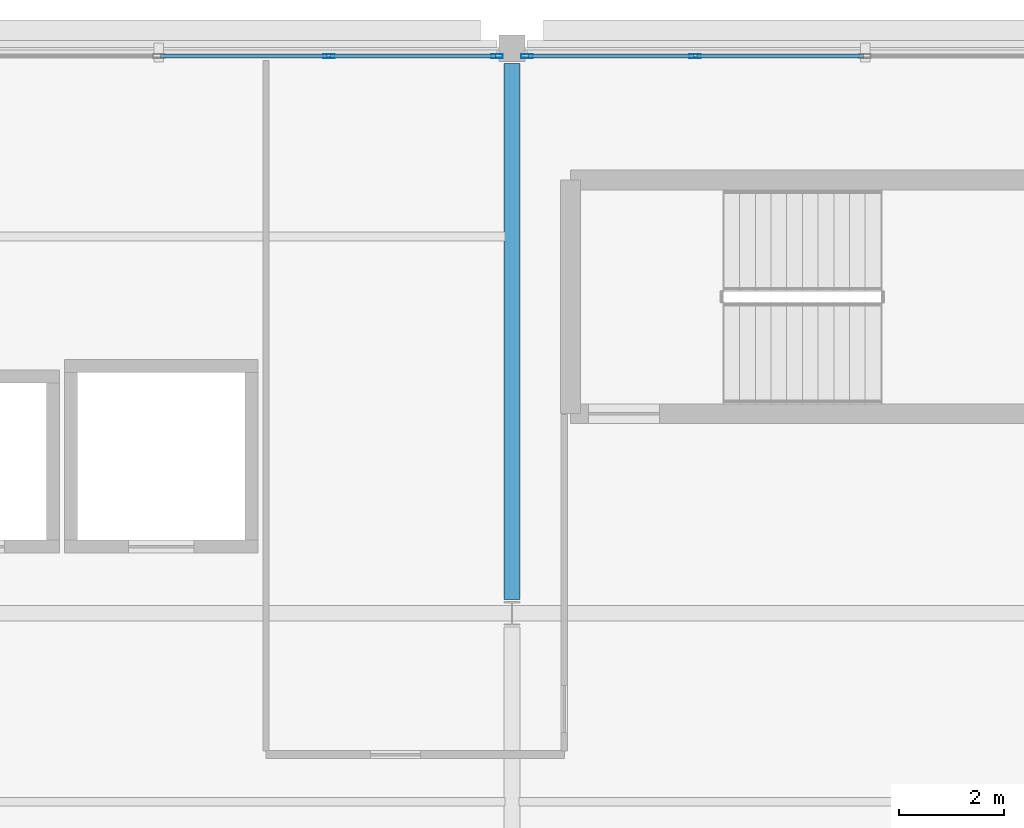
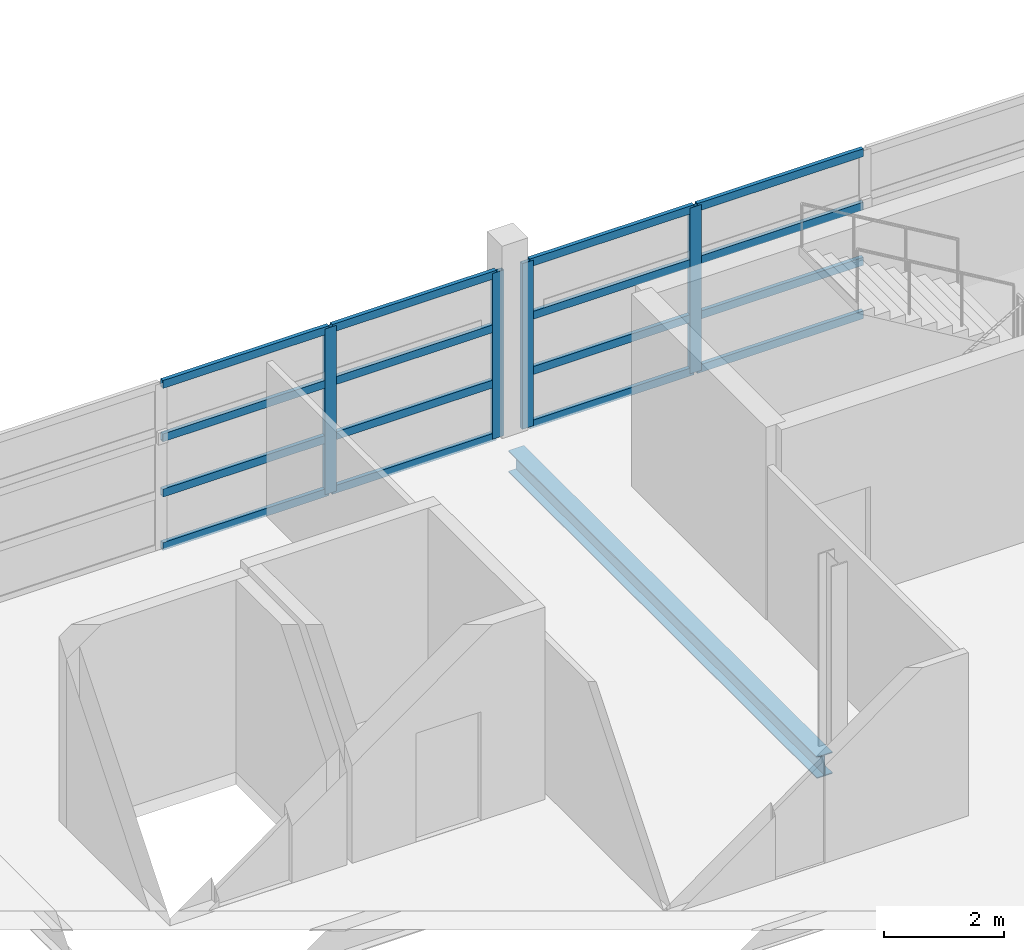
# One storey, part 58 of 110: 20 members, 1 beam, 2 elements without a shape of their own.
"""IFC4 building model written with IfcOpenShell, lengths in metres."""

from ifc_helpers import new_model, si_unit, direction, frame, origin, origin_2d, place, context, subcontext, project, spatial, hollow_rectangle, i_section, extrude, material, layer, layer_set, material_profile, profile_set, type_object, element, aggregate, save


model = new_model("IFC4")

# Units and contexts
model_context = context("Model", 3, precision=1e-05, world=origin(), true_north=direction((0.0, 1.0)))
body_context = subcontext(model_context, "Body", "Model", "MODEL_VIEW")
ifc_project = project(units=[si_unit("LENGTHUNIT", "METRE"), si_unit("AREAUNIT", "SQUARE_METRE"), si_unit("VOLUMEUNIT", "CUBIC_METRE"), si_unit("PLANEANGLEUNIT", "RADIAN"), si_unit("MASSUNIT", "GRAM", prefix="KILO")], contexts=[model_context])

# Site, building, storey
site_placement = place(None, origin())
site = spatial("IfcSite", under=ifc_project, at=site_placement, CompositionType="ELEMENT")
building_placement = place(site_placement, origin())
building = spatial("IfcBuilding", under=site, at=building_placement, Name="Tamarisk Ironworks Central Station", CompositionType="ELEMENT")
storey_placement = place(building_placement, frame((0.0, 0.0, 17.39990234375)))
storey = spatial("IfcBuildingStorey", under=building, at=storey_placement, Name="L03", CompositionType="ELEMENT", Elevation=17.39990234375)

# Beam
ifc_material_1 = material(Name="Structural steel S355J2", Category="steel")
ifc_material_profile_1 = material_profile(ifc_material_1, i_section(OverallWidth=0.300048828125, OverallDepth=0.43994140625, WebThickness=0.011474609375, FlangeThickness=0.02099609375, at=origin_2d()), Name="HEA 450")
ifc_profile_set_1 = profile_set([ifc_material_profile_1], Name="Structural steel S355J2")
beam_type = type_object("IfcBeamType", Name="BM-G06", PredefinedType="BEAM", material=ifc_profile_set_1)
beam_placement = place(storey_placement, frame((166.5, 111.863037109375, -0.469970703125), z_axis=(0.0, 1.0, 0.0), x_axis=(-1.0, 0.0, 0.0)))
element("IfcBeam", 1, at=beam_placement, inside=storey, type_object=beam_type, Name="L03 primary girder Y-0699", PredefinedType="BEAM", context=body_context, shape_type="SweptSolid", body=[
    extrude(i_section(OverallWidth=0.300048828125, OverallDepth=0.43994140625, WebThickness=0.011474609375, FlangeThickness=0.02099609375, at=origin_2d()), origin(), (0.0, 0.0, 1.0), 10.2490234375),
])

# Curtain wall, members
ifc_material_2 = material(Name="Anodized aluminium alloy 6063-T6", Category="aluminium")
ifc_layer = layer(ifc_material_2, 0.179931640625)
ifc_layer_set = layer_set([ifc_layer], Name="Anodized aluminium alloy 6063-T6")
curtain_wall_type = type_object("IfcCurtainWallType", Name="CW-18", PredefinedType="USERDEFINED", material=ifc_layer_set)
curtain_wall_1_placement = place(storey_placement, origin())
curtain_wall_1 = element("IfcCurtainWall", 2, at=curtain_wall_1_placement, inside=storey, type_object=curtain_wall_type, Name="Operations L03 north facade curtain wall 153", ObjectType="GLAZED CURTAIN WALL", PredefinedType="USERDEFINED")
ifc_material_profile_2 = material_profile(ifc_material_2, hollow_rectangle(XDim=0.074951171875, YDim=0.219970703125, WallThickness=0.00390625, at=origin_2d()), Name="ALUM 220x75")
ifc_profile_set_2 = profile_set([ifc_material_profile_2], Name="Anodized aluminium alloy 6063-T6")
member_type_1 = type_object("IfcMemberType", Name="CWM-01", PredefinedType="MULLION", material=ifc_profile_set_2)
member_1_placement = place(storey_placement, frame((163.0009765625, 122.25, 0.0), z_axis=(0.0, 0.0, 1.0), x_axis=(0.0, 1.0, 0.0)))
member_1 = element("IfcMember", 3, at=member_1_placement, type_object=member_type_1, Name="CW18 mullion 4", PredefinedType="MULLION", context=body_context, shape_type="SweptSolid", body=[
    extrude(hollow_rectangle(XDim=0.074951171875, YDim=0.219970703125, WallThickness=0.00390625, at=origin_2d()), origin(), (0.0, 0.0, 1.0), 3.360107421875),
])
member_2_placement = place(storey_placement, frame((166.214599609375, 122.25, 0.0), z_axis=(0.0, 0.0, 1.0), x_axis=(0.0, 1.0, 0.0)))
member_2 = element("IfcMember", 4, at=member_2_placement, type_object=member_type_1, Name="CW18 mullion 5", PredefinedType="MULLION", context=body_context, shape_type="SweptSolid", body=[
    extrude(hollow_rectangle(XDim=0.074951171875, YDim=0.219970703125, WallThickness=0.00390625, at=origin_2d()), origin(), (0.0, 0.0, 1.0), 3.360107421875),
])

curtain_wall_2_placement = place(storey_placement, origin())
curtain_wall_2 = element("IfcCurtainWall", 5, at=curtain_wall_2_placement, inside=storey, type_object=curtain_wall_type, Name="Operations L03 north facade curtain wall 166", ObjectType="GLAZED CURTAIN WALL", PredefinedType="USERDEFINED")
member_3_placement = place(storey_placement, frame((166.785400390625, 122.25, 0.0), z_axis=(0.0, 0.0, 1.0), x_axis=(0.0, 1.0, 0.0)))
member_3 = element("IfcMember", 6, at=member_3_placement, type_object=member_type_1, Name="CW18 mullion 1", PredefinedType="MULLION", context=body_context, shape_type="SweptSolid", body=[
    extrude(hollow_rectangle(XDim=0.074951171875, YDim=0.219970703125, WallThickness=0.00390625, at=origin_2d()), origin(), (0.0, 0.0, 1.0), 3.360107421875),
])
member_4_placement = place(storey_placement, frame((169.9990234375, 122.25, 0.0), z_axis=(0.0, 0.0, 1.0), x_axis=(0.0, 1.0, 0.0)))
member_4 = element("IfcMember", 7, at=member_4_placement, type_object=member_type_1, Name="CW18 mullion 2", PredefinedType="MULLION", context=body_context, shape_type="SweptSolid", body=[
    extrude(hollow_rectangle(XDim=0.074951171875, YDim=0.219970703125, WallThickness=0.00390625, at=origin_2d()), origin(), (0.0, 0.0, 1.0), 3.360107421875),
])

# Member
ifc_material_profile_3 = material_profile(ifc_material_2, hollow_rectangle(XDim=0.074951171875, YDim=0.159912109375, WallThickness=0.00390625, at=origin_2d()), Name="ALUM 160x75")
ifc_profile_set_3 = profile_set([ifc_material_profile_3], Name="Anodized aluminium alloy 6063-T6")
member_type_2 = type_object("IfcMemberType", Name="CWT-01", PredefinedType="USERDEFINED", material=ifc_profile_set_3)
member_5_placement = place(storey_placement, frame((159.783447265625, 122.25, 0.03759765625), z_axis=(1.0, 0.0, 0.0), x_axis=(0.0, 1.0, 0.0)))
member_5 = element("IfcMember", 8, at=member_5_placement, type_object=member_type_2, Name="CW18 transom 3.1", ObjectType="TRANSOM", PredefinedType="USERDEFINED", context=body_context, shape_type="SweptSolid", body=[
    extrude(hollow_rectangle(XDim=0.074951171875, YDim=0.159912109375, WallThickness=0.00390625, at=origin_2d()), origin(), (0.0, 0.0, 1.0), 3.18408203125),
])

member_6_placement = place(storey_placement, frame((159.783447265625, 122.25, 1.1201171875), z_axis=(1.0, 0.0, 0.0), x_axis=(0.0, 1.0, 0.0)))
member_6 = element("IfcMember", 9, at=member_6_placement, type_object=member_type_2, Name="CW18 transom 3.2", ObjectType="TRANSOM", PredefinedType="USERDEFINED", context=body_context, shape_type="SweptSolid", body=[
    extrude(hollow_rectangle(XDim=0.074951171875, YDim=0.159912109375, WallThickness=0.00390625, at=origin_2d()), origin(), (0.0, 0.0, 1.0), 3.18408203125),
])

member_7_placement = place(storey_placement, frame((159.783447265625, 122.25, 2.239990234375), z_axis=(1.0, 0.0, 0.0), x_axis=(0.0, 1.0, 0.0)))
member_7 = element("IfcMember", 10, at=member_7_placement, type_object=member_type_2, Name="CW18 transom 3.3", ObjectType="TRANSOM", PredefinedType="USERDEFINED", context=body_context, shape_type="SweptSolid", body=[
    extrude(hollow_rectangle(XDim=0.074951171875, YDim=0.159912109375, WallThickness=0.00390625, at=origin_2d()), origin(), (0.0, 0.0, 1.0), 3.18408203125),
])

member_8_placement = place(storey_placement, frame((159.783447265625, 122.25, 3.322509765625), z_axis=(1.0, 0.0, 0.0), x_axis=(0.0, 1.0, 0.0)))
member_8 = element("IfcMember", 11, at=member_8_placement, type_object=member_type_2, Name="CW18 transom 3.4", ObjectType="TRANSOM", PredefinedType="USERDEFINED", context=body_context, shape_type="SweptSolid", body=[
    extrude(hollow_rectangle(XDim=0.074951171875, YDim=0.159912109375, WallThickness=0.00390625, at=origin_2d()), origin(), (0.0, 0.0, 1.0), 3.18408203125),
])

member_9_placement = place(storey_placement, frame((163.034423828125, 122.25, 0.03759765625), z_axis=(1.0, 0.0, 0.0), x_axis=(0.0, 1.0, 0.0)))
member_9 = element("IfcMember", 12, at=member_9_placement, type_object=member_type_2, Name="CW18 transom 4.1", ObjectType="TRANSOM", PredefinedType="USERDEFINED", context=body_context, shape_type="SweptSolid", body=[
    extrude(hollow_rectangle(XDim=0.074951171875, YDim=0.159912109375, WallThickness=0.00390625, at=origin_2d()), origin(), (0.0, 0.0, 1.0), 3.146484375),
])

member_10_placement = place(storey_placement, frame((163.034423828125, 122.25, 1.1201171875), z_axis=(1.0, 0.0, 0.0), x_axis=(0.0, 1.0, 0.0)))
member_10 = element("IfcMember", 13, at=member_10_placement, type_object=member_type_2, Name="CW18 transom 4.2", ObjectType="TRANSOM", PredefinedType="USERDEFINED", context=body_context, shape_type="SweptSolid", body=[
    extrude(hollow_rectangle(XDim=0.074951171875, YDim=0.159912109375, WallThickness=0.00390625, at=origin_2d()), origin(), (0.0, 0.0, 1.0), 3.146484375),
])

member_11_placement = place(storey_placement, frame((163.034423828125, 122.25, 2.239990234375), z_axis=(1.0, 0.0, 0.0), x_axis=(0.0, 1.0, 0.0)))
member_11 = element("IfcMember", 14, at=member_11_placement, type_object=member_type_2, Name="CW18 transom 4.3", ObjectType="TRANSOM", PredefinedType="USERDEFINED", context=body_context, shape_type="SweptSolid", body=[
    extrude(hollow_rectangle(XDim=0.074951171875, YDim=0.159912109375, WallThickness=0.00390625, at=origin_2d()), origin(), (0.0, 0.0, 1.0), 3.146484375),
])

member_12_placement = place(storey_placement, frame((163.034423828125, 122.25, 3.322509765625), z_axis=(1.0, 0.0, 0.0), x_axis=(0.0, 1.0, 0.0)))
member_12 = element("IfcMember", 15, at=member_12_placement, type_object=member_type_2, Name="CW18 transom 4.4", ObjectType="TRANSOM", PredefinedType="USERDEFINED", context=body_context, shape_type="SweptSolid", body=[
    extrude(hollow_rectangle(XDim=0.074951171875, YDim=0.159912109375, WallThickness=0.00390625, at=origin_2d()), origin(), (0.0, 0.0, 1.0), 3.146484375),
])

aggregate(curtain_wall_1, [member_1, member_2, member_5, member_6, member_7, member_8, member_9, member_10, member_11, member_12])

member_13_placement = place(storey_placement, frame((166.819091796875, 122.25, 0.03759765625), z_axis=(1.0, 0.0, 0.0), x_axis=(0.0, 1.0, 0.0)))
member_13 = element("IfcMember", 16, at=member_13_placement, type_object=member_type_2, Name="CW18 transom 1.1", ObjectType="TRANSOM", PredefinedType="USERDEFINED", context=body_context, shape_type="SweptSolid", body=[
    extrude(hollow_rectangle(XDim=0.074951171875, YDim=0.159912109375, WallThickness=0.00390625, at=origin_2d()), origin(), (0.0, 0.0, 1.0), 3.146484375),
])

member_14_placement = place(storey_placement, frame((166.819091796875, 122.25, 1.1201171875), z_axis=(1.0, 0.0, 0.0), x_axis=(0.0, 1.0, 0.0)))
member_14 = element("IfcMember", 17, at=member_14_placement, type_object=member_type_2, Name="CW18 transom 1.2", ObjectType="TRANSOM", PredefinedType="USERDEFINED", context=body_context, shape_type="SweptSolid", body=[
    extrude(hollow_rectangle(XDim=0.074951171875, YDim=0.159912109375, WallThickness=0.00390625, at=origin_2d()), origin(), (0.0, 0.0, 1.0), 3.146484375),
])

member_15_placement = place(storey_placement, frame((166.819091796875, 122.25, 2.239990234375), z_axis=(1.0, 0.0, 0.0), x_axis=(0.0, 1.0, 0.0)))
member_15 = element("IfcMember", 18, at=member_15_placement, type_object=member_type_2, Name="CW18 transom 1.3", ObjectType="TRANSOM", PredefinedType="USERDEFINED", context=body_context, shape_type="SweptSolid", body=[
    extrude(hollow_rectangle(XDim=0.074951171875, YDim=0.159912109375, WallThickness=0.00390625, at=origin_2d()), origin(), (0.0, 0.0, 1.0), 3.146484375),
])

member_16_placement = place(storey_placement, frame((166.819091796875, 122.25, 3.322509765625), z_axis=(1.0, 0.0, 0.0), x_axis=(0.0, 1.0, 0.0)))
member_16 = element("IfcMember", 19, at=member_16_placement, type_object=member_type_2, Name="CW18 transom 1.4", ObjectType="TRANSOM", PredefinedType="USERDEFINED", context=body_context, shape_type="SweptSolid", body=[
    extrude(hollow_rectangle(XDim=0.074951171875, YDim=0.159912109375, WallThickness=0.00390625, at=origin_2d()), origin(), (0.0, 0.0, 1.0), 3.146484375),
])

member_17_placement = place(storey_placement, frame((170.032470703125, 122.25, 0.03759765625), z_axis=(1.0, 0.0, 0.0), x_axis=(0.0, 1.0, 0.0)))
member_17 = element("IfcMember", 20, at=member_17_placement, type_object=member_type_2, Name="CW18 transom 2.1", ObjectType="TRANSOM", PredefinedType="USERDEFINED", context=body_context, shape_type="SweptSolid", body=[
    extrude(hollow_rectangle(XDim=0.074951171875, YDim=0.159912109375, WallThickness=0.00390625, at=origin_2d()), origin(), (0.0, 0.0, 1.0), 3.18408203125),
])

member_18_placement = place(storey_placement, frame((170.032470703125, 122.25, 1.1201171875), z_axis=(1.0, 0.0, 0.0), x_axis=(0.0, 1.0, 0.0)))
member_18 = element("IfcMember", 21, at=member_18_placement, type_object=member_type_2, Name="CW18 transom 2.2", ObjectType="TRANSOM", PredefinedType="USERDEFINED", context=body_context, shape_type="SweptSolid", body=[
    extrude(hollow_rectangle(XDim=0.074951171875, YDim=0.159912109375, WallThickness=0.00390625, at=origin_2d()), origin(), (0.0, 0.0, 1.0), 3.18408203125),
])

member_19_placement = place(storey_placement, frame((170.032470703125, 122.25, 2.239990234375), z_axis=(1.0, 0.0, 0.0), x_axis=(0.0, 1.0, 0.0)))
member_19 = element("IfcMember", 22, at=member_19_placement, type_object=member_type_2, Name="CW18 transom 2.3", ObjectType="TRANSOM", PredefinedType="USERDEFINED", context=body_context, shape_type="SweptSolid", body=[
    extrude(hollow_rectangle(XDim=0.074951171875, YDim=0.159912109375, WallThickness=0.00390625, at=origin_2d()), origin(), (0.0, 0.0, 1.0), 3.18408203125),
])

member_20_placement = place(storey_placement, frame((170.032470703125, 122.25, 3.322509765625), z_axis=(1.0, 0.0, 0.0), x_axis=(0.0, 1.0, 0.0)))
member_20 = element("IfcMember", 23, at=member_20_placement, type_object=member_type_2, Name="CW18 transom 2.4", ObjectType="TRANSOM", PredefinedType="USERDEFINED", context=body_context, shape_type="SweptSolid", body=[
    extrude(hollow_rectangle(XDim=0.074951171875, YDim=0.159912109375, WallThickness=0.00390625, at=origin_2d()), origin(), (0.0, 0.0, 1.0), 3.18408203125),
])

aggregate(curtain_wall_2, [member_3, member_4, member_13, member_14, member_15, member_16, member_17, member_18, member_19, member_20])

save(model, "model.ifc")
